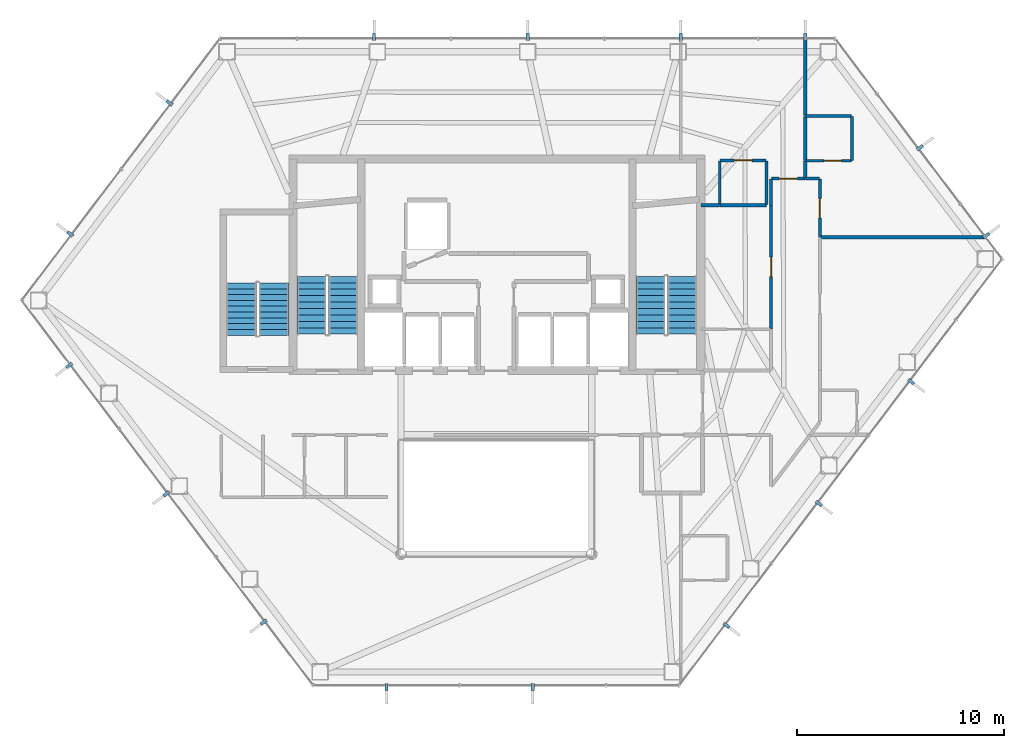
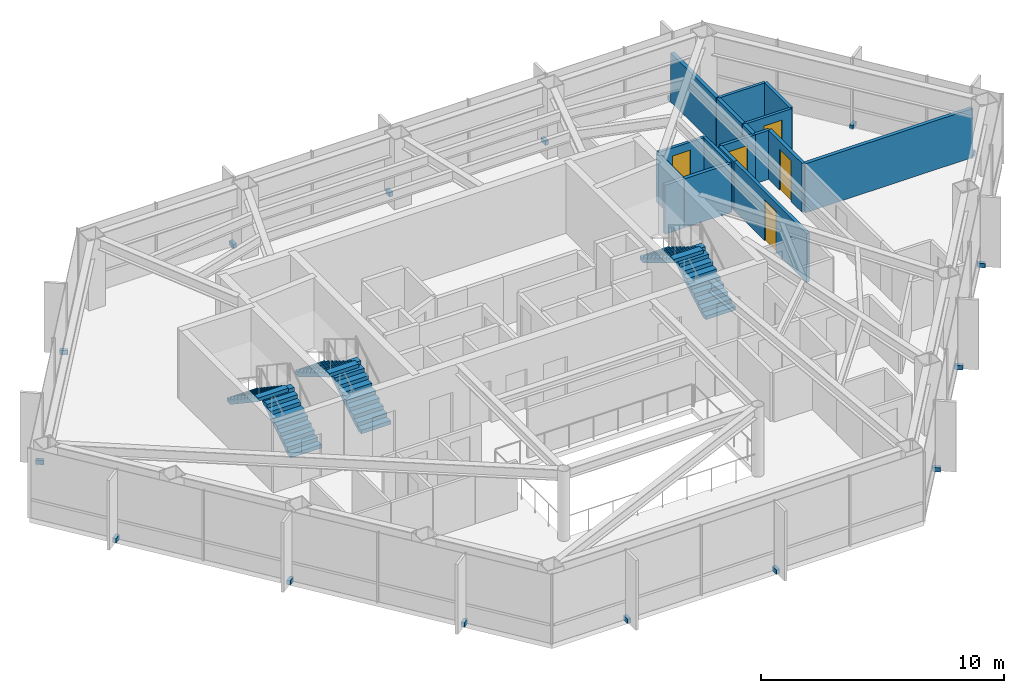
# One storey, part 27 of 28: 17 walls, 16 discrete accessories, 6 stair flights, 5 doors, 5 openings, 3 elements without a shape of their own.
"""IFC4 building model written with IfcOpenShell, lengths in metres."""

from ifc_helpers import new_model, si_unit, direction, frame, frame_2d, origin, origin_2d, place, context, subcontext, project, spatial, polyline, rectangle, outline, extrude, material, layer, layer_set, type_object, element, fill, aggregate, save


model = new_model("IFC4")

# Units and contexts
model_context = context("Model", 3, precision=1e-05, world=origin(), true_north=direction((0.0, 1.0)))
body_context = subcontext(model_context, "Body", "Model", "MODEL_VIEW")
ifc_project = project(units=[si_unit("LENGTHUNIT", "METRE"), si_unit("AREAUNIT", "SQUARE_METRE"), si_unit("VOLUMEUNIT", "CUBIC_METRE"), si_unit("PLANEANGLEUNIT", "RADIAN"), si_unit("MASSUNIT", "GRAM", prefix="KILO")], contexts=[model_context])

# Site, building, storey
site_placement = place(None, origin())
site = spatial("IfcSite", under=ifc_project, at=site_placement, CompositionType="ELEMENT")
building_placement = place(site_placement, origin())
building = spatial("IfcBuilding", under=site, at=building_placement, Name="Zarrinselat Tower", CompositionType="ELEMENT")
storey_placement = place(building_placement, frame((0.0, 0.0, 123.419921875)))
storey = spatial("IfcBuildingStorey", under=building, at=storey_placement, Name="L29", CompositionType="ELEMENT", Elevation=123.419921875)

# Walls
ifc_material_1 = material(Name="Fire-Rated Gypsum Board Partition", Category="gypsum")
ifc_layer_1 = layer(ifc_material_1, 0.1650390625)
ifc_layer_set_1 = layer_set([ifc_layer_1], Name="Fire-Rated Gypsum Board Partition")
wall_type_1 = type_object("IfcWallType", Name="WAL-PART-DEMISE", PredefinedType="PARTITIONING", material=ifc_layer_set_1)
wall_1_placement = place(storey_placement, frame((54.02001953125, 39.67822265625, 0.0), z_axis=(0.0, 0.0, 1.0), x_axis=(1.0, 0.0, 0.0)))
element("IfcWall", 1, at=wall_1_placement, inside=storey, type_object=wall_type_1, Name="L29 Partition Wall 53", PredefinedType="PARTITIONING", context=body_context, shape_type="SweptSolid", body=[
    extrude(rectangle(XDim=7.966552734375, YDim=0.1650390625, at=frame_2d((3.9833984375, 0.0))), origin(), (0.0, 0.0, 1.0), 2.45703125),
])
wall_2_placement = place(storey_placement, frame((53.300048828125, 42.52001953125, 0.0), z_axis=(0.0, 0.0, 1.0), x_axis=(0.0, 1.0, 0.0)))
element("IfcWall", 2, at=wall_2_placement, inside=storey, type_object=wall_type_1, Name="L29 Partition Wall 57", PredefinedType="PARTITIONING", context=body_context, shape_type="SweptSolid", body=[
    extrude(rectangle(XDim=0.827392578125, YDim=0.1650390625, at=frame_2d((0.41357421875, 0.0))), origin(), (0.0, 0.0, 1.0), 2.45703125),
])
wall_3_placement = place(storey_placement, frame((53.300048828125, 45.53759765625, 0.0), z_axis=(0.0, 0.0, 1.0), x_axis=(0.0, 1.0, 0.0)))
element("IfcWall", 3, at=wall_3_placement, inside=storey, type_object=wall_type_1, Name="L29 Partition Wall 58", PredefinedType="PARTITIONING", context=body_context, shape_type="SweptSolid", body=[
    extrude(rectangle(XDim=3.714111328125, YDim=0.1650390625, at=frame_2d((1.85693359375, 0.0))), origin(), (0.0, 0.0, 1.0), 2.45703125),
])
wall_4_placement = place(storey_placement, frame((53.300048828125, 43.387451171875, 0.0), z_axis=(0.0, 0.0, 1.0), x_axis=(0.0, 1.0, 0.0)))
element("IfcWall", 4, at=wall_4_placement, inside=storey, type_object=wall_type_1, Name="L29 Partition Wall 59", PredefinedType="PARTITIONING", context=body_context, shape_type="SweptSolid", body=[
    extrude(rectangle(XDim=2.110107421875, YDim=0.1650390625, at=frame_2d((1.05517578125, 0.0))), origin(), (0.0, 0.0, 1.0), 2.45703125),
])
wall_5_placement = place(storey_placement, frame((48.27490234375, 41.228271484375, 0.0), z_axis=(0.0, 0.0, 1.0), x_axis=(1.0, 0.0, 0.0)))
element("IfcWall", 5, at=wall_5_placement, inside=storey, type_object=wall_type_1, Name="L29 Partition Wall 61", PredefinedType="PARTITIONING", context=body_context, shape_type="SweptSolid", body=[
    extrude(rectangle(XDim=0.89501953125, YDim=0.1650390625, at=frame_2d((0.447509765625, 0.0))), origin(), (0.0, 0.0, 1.0), 2.45703125),
])
wall_6_placement = place(storey_placement, frame((49.179931640625, 41.228271484375, 0.0), z_axis=(0.0, 0.0, 1.0), x_axis=(1.0, 0.0, 0.0)))
element("IfcWall", 6, at=wall_6_placement, inside=storey, type_object=wall_type_1, Name="L29 Partition Wall 62", PredefinedType="PARTITIONING", context=body_context, shape_type="SweptSolid", body=[
    extrude(rectangle(XDim=2.239990234375, YDim=0.1650390625, at=frame_2d((1.1201171875, 0.0))), origin(), (0.0, 0.0, 1.0), 2.45703125),
])
ifc_material_2 = material(Name="Fire-Rated Gypsum Board Partition", Category="gypsum")
ifc_layer_2 = layer(ifc_material_2, 0.14990234375)
ifc_layer_set_2 = layer_set([ifc_layer_2], Name="Fire-Rated Gypsum Board Partition")
wall_type_2 = type_object("IfcWallType", Name="WAL-PART-EI60", PredefinedType="PARTITIONING", material=ifc_layer_set_2)
wall_7_placement = place(storey_placement, frame((53.304931640625, 42.5, 0.0), z_axis=(0.0, 0.0, 1.0), x_axis=(1.0, 0.0, 0.0)))
element("IfcWall", 7, at=wall_7_placement, inside=storey, type_object=wall_type_2, Name="L29 Partition Wall 27", PredefinedType="PARTITIONING", context=body_context, shape_type="SweptSolid", body=[
    extrude(rectangle(XDim=0.675048828125, YDim=0.14990234375, at=frame_2d((0.33740234375, 0.0))), origin(), (0.0, 0.0, 1.0), 2.45703125),
])

# Wall, opening, door
wall_8_placement = place(storey_placement, frame((54.0, 39.683349609375, 0.0), z_axis=(0.0, 0.0, 1.0), x_axis=(0.0, 1.0, 0.0)))
wall_8 = element("IfcWall", 8, at=wall_8_placement, inside=storey, type_object=wall_type_2, Name="L29 Partition Wall 28", PredefinedType="PARTITIONING", context=body_context, shape_type="SweptSolid", body=[
    extrude(rectangle(XDim=2.796630859375, YDim=0.14990234375, at=frame_2d((1.3984375, 0.0))), origin(), (0.0, 0.0, 1.0), 2.45703125),
])
opening_1_placement = place(wall_8_placement, frame((0.92822265625, 0.0, 0.0)))
opening_1 = element("IfcOpeningElement", 9, at=opening_1_placement, cuts=wall_8, Name="Opening ID-04", PredefinedType="OPENING", context=body_context, shape_type="SweptSolid", body=[
    extrude(rectangle(XDim=0.93994140625, YDim=2.050048828125, at=frame_2d((0.469970703125, 1.02490234375))), frame((0.0, 0.0849609375, 0.0), z_axis=(0.0, -1.0, 0.0), x_axis=(1.0, 0.0, 0.0)), (0.0, 0.0, 1.0), 0.169921875),
])
ifc_material_3 = material(Name="Fire-Rated Gypsum Board Partition")
door_type_1 = type_object("IfcDoorType", Name="DR-INT-FD30-ENT", OperationType="NOTDEFINED", PredefinedType="DOOR", material=ifc_material_3)
door_1_placement = place(opening_1_placement, origin())
door_1 = element("IfcDoor", 10, at=door_1_placement, inside=storey, type_object=door_type_1, Name="L29 Interior Door P28", OperationType="SINGLE_SWING_LEFT", OverallHeight=2.050048828125, OverallWidth=0.93994140625, PredefinedType="DOOR", context=body_context, shape_type="SweptSolid", body=[
    extrude(rectangle(XDim=0.93994140625, YDim=2.050048828125, at=frame_2d((0.469970703125, 1.02490234375))), frame((0.0, 0.02490234375, 0.0), z_axis=(0.0, -1.0, 0.0), x_axis=(1.0, 0.0, 0.0)), (0.0, 0.0, 1.0), 0.050048828125),
])
fill(opening_1, door_1)

wall_9_placement = place(storey_placement, frame((51.64990234375, 35.24951171875, 0.0), z_axis=(0.0, 0.0, 1.0), x_axis=(0.0, 1.0, 0.0)))
wall_9 = element("IfcWall", 11, at=wall_9_placement, inside=storey, type_object=wall_type_2, Name="L29 Partition Wall 29", PredefinedType="PARTITIONING", context=body_context, shape_type="SweptSolid", body=[
    extrude(rectangle(XDim=5.993896484375, YDim=0.14990234375, at=frame_2d((2.9970703125, 0.0))), origin(), (0.0, 0.0, 1.0), 2.45703125),
])
opening_2_placement = place(wall_9_placement, frame((2.52685546875, 0.0, 0.0)))
opening_2 = element("IfcOpeningElement", 12, at=opening_2_placement, cuts=wall_9, Name="Opening ID-04", PredefinedType="OPENING", context=body_context, shape_type="SweptSolid", body=[
    extrude(rectangle(XDim=0.93994140625, YDim=2.050048828125, at=frame_2d((0.469970703125, 1.02490234375))), frame((0.0, 0.0849609375, 0.0), z_axis=(0.0, -1.0, 0.0), x_axis=(1.0, 0.0, 0.0)), (0.0, 0.0, 1.0), 0.169921875),
])
door_2_placement = place(opening_2_placement, origin())
door_2 = element("IfcDoor", 13, at=door_2_placement, inside=storey, type_object=door_type_1, Name="L29 Interior Door P29", OperationType="SINGLE_SWING_RIGHT", OverallHeight=2.050048828125, OverallWidth=0.93994140625, PredefinedType="DOOR", context=body_context, shape_type="SweptSolid", body=[
    extrude(rectangle(XDim=0.93994140625, YDim=2.050048828125, at=frame_2d((0.469970703125, 1.02490234375))), frame((0.0, 0.02490234375, 0.0), z_axis=(0.0, -1.0, 0.0), x_axis=(1.0, 0.0, 0.0)), (0.0, 0.0, 1.0), 0.050048828125),
])
fill(opening_2, door_2)

# Wall
wall_10_placement = place(storey_placement, frame((51.64990234375, 41.21337890625, 0.0), z_axis=(0.0, 0.0, 1.0), x_axis=(0.0, 1.0, 0.0)))
element("IfcWall", 14, at=wall_10_placement, inside=storey, type_object=wall_type_2, Name="L29 Partition Wall 32", PredefinedType="PARTITIONING", context=body_context, shape_type="SweptSolid", body=[
    extrude(rectangle(XDim=1.2666015625, YDim=0.14990234375, at=frame_2d((0.63330078125, 0.0))), origin(), (0.0, 0.0, 1.0), 2.45703125),
])

# Wall, opening, door
wall_11_placement = place(storey_placement, frame((51.669921875, 42.5, 0.0), z_axis=(0.0, 0.0, 1.0), x_axis=(1.0, 0.0, 0.0)))
wall_11 = element("IfcWall", 15, at=wall_11_placement, inside=storey, type_object=wall_type_2, Name="L29 Partition Wall 33", PredefinedType="PARTITIONING", context=body_context, shape_type="SweptSolid", body=[
    extrude(rectangle(XDim=1.625, YDim=0.14990234375, at=frame_2d((0.8125, 0.0))), origin(), (0.0, 0.0, 1.0), 2.45703125),
])
opening_3_placement = place(wall_11_placement, frame((0.37255859375, 0.0, 0.0)))
opening_3 = element("IfcOpeningElement", 16, at=opening_3_placement, cuts=wall_11, Name="Opening ID-03", PredefinedType="OPENING", context=body_context, shape_type="SweptSolid", body=[
    extrude(rectangle(XDim=0.8798828125, YDim=2.050048828125, at=frame_2d((0.43994140625, 1.02490234375))), frame((0.0, 0.0849609375, 0.0), z_axis=(0.0, -1.0, 0.0), x_axis=(1.0, 0.0, 0.0)), (0.0, 0.0, 1.0), 0.169921875),
])
ifc_material_4 = material(Name="Steel S355J2", Category="steel")
door_type_2 = type_object("IfcDoorType", Name="DR-INT-FD60-S", OperationType="NOTDEFINED", PredefinedType="DOOR", material=ifc_material_4)
door_3_placement = place(opening_3_placement, origin())
door_3 = element("IfcDoor", 17, at=door_3_placement, inside=storey, type_object=door_type_2, Name="L29 Interior Door P33", OperationType="SINGLE_SWING_LEFT", OverallHeight=2.050048828125, OverallWidth=0.8798828125, PredefinedType="DOOR", context=body_context, shape_type="SweptSolid", body=[
    extrude(rectangle(XDim=0.8798828125, YDim=2.050048828125, at=frame_2d((0.43994140625, 1.02490234375))), frame((0.0, 0.02490234375, 0.0), z_axis=(0.0, -1.0, 0.0), x_axis=(1.0, 0.0, 0.0)), (0.0, 0.0, 1.0), 0.050048828125),
])
fill(opening_3, door_3)

ifc_material_5 = material(Name="Fire-Rated Gypsum Board Partition", Category="gypsum")
ifc_layer_3 = layer(ifc_material_5, 0.135009765625)
ifc_layer_set_3 = layer_set([ifc_layer_3], Name="Fire-Rated Gypsum Board Partition")
wall_type_3 = type_object("IfcWallType", Name="WAL-PART-WET", PredefinedType="PARTITIONING", material=ifc_layer_set_3)
wall_12_placement = place(storey_placement, frame((53.320068359375, 43.367431640625, 0.0), z_axis=(0.0, 0.0, 1.0), x_axis=(1.0, 0.0, 0.0)))
wall_12 = element("IfcWall", 18, at=wall_12_placement, inside=storey, type_object=wall_type_3, Name="L29 Partition Wall 54", PredefinedType="PARTITIONING", context=body_context, shape_type="SweptSolid", body=[
    extrude(rectangle(XDim=2.2099609375, YDim=0.135009765625, at=frame_2d((1.10498046875, 0.0))), origin(), (0.0, 0.0, 1.0), 2.45703125),
])
opening_4_placement = place(wall_12_placement, frame((0.875, 0.0, 0.0)))
opening_4 = element("IfcOpeningElement", 19, at=opening_4_placement, cuts=wall_12, Name="Opening ID-06", PredefinedType="OPENING", context=body_context, shape_type="SweptSolid", body=[
    extrude(rectangle(XDim=0.860107421875, YDim=2.050048828125, at=frame_2d((0.43017578125, 1.02490234375))), frame((0.0, 0.077392578125, 0.0), z_axis=(0.0, -1.0, 0.0), x_axis=(1.0, 0.0, 0.0)), (0.0, 0.0, 1.0), 0.155029296875),
])
ifc_material_6 = material(Name="Extruded Aluminium Alloy EN AW-6063 T6", Category="aluminium")
door_type_3 = type_object("IfcDoorType", Name="DR-INT-WET-900", OperationType="NOTDEFINED", PredefinedType="DOOR", material=ifc_material_6)
door_4_placement = place(opening_4_placement, origin())
door_4 = element("IfcDoor", 20, at=door_4_placement, inside=storey, type_object=door_type_3, Name="L29 Interior Door P54", OperationType="SINGLE_SWING_RIGHT", OverallHeight=2.050048828125, OverallWidth=0.860107421875, PredefinedType="DOOR", context=body_context, shape_type="SweptSolid", body=[
    extrude(rectangle(XDim=0.860107421875, YDim=2.050048828125, at=frame_2d((0.43017578125, 1.02490234375))), frame((0.0, 0.02490234375, 0.0), z_axis=(0.0, -1.0, 0.0), x_axis=(1.0, 0.0, 0.0)), (0.0, 0.0, 1.0), 0.050048828125),
])
fill(opening_4, door_4)

# Walls
wall_13_placement = place(storey_placement, frame((55.550048828125, 43.387451171875, 0.0), z_axis=(0.0, 0.0, 1.0), x_axis=(0.0, 1.0, 0.0)))
element("IfcWall", 21, at=wall_13_placement, inside=storey, type_object=wall_type_3, Name="L29 Partition Wall 55", PredefinedType="PARTITIONING", context=body_context, shape_type="SweptSolid", body=[
    extrude(rectangle(XDim=2.110107421875, YDim=0.135009765625, at=frame_2d((1.05517578125, 0.0))), origin(), (0.0, 0.0, 1.0), 2.45703125),
])
wall_14_placement = place(storey_placement, frame((53.320068359375, 45.517578125, 0.0), z_axis=(0.0, 0.0, 1.0), x_axis=(1.0, 0.0, 0.0)))
element("IfcWall", 22, at=wall_14_placement, inside=storey, type_object=wall_type_3, Name="L29 Partition Wall 56", PredefinedType="PARTITIONING", context=body_context, shape_type="SweptSolid", body=[
    extrude(rectangle(XDim=2.2099609375, YDim=0.135009765625, at=frame_2d((1.10498046875, 0.0))), origin(), (0.0, 0.0, 1.0), 2.45703125),
])
wall_15_placement = place(storey_placement, frame((51.425048828125, 41.248291015625, 0.0), z_axis=(0.0, 0.0, 1.0), x_axis=(0.0, 1.0, 0.0)))
element("IfcWall", 23, at=wall_15_placement, inside=storey, type_object=wall_type_3, Name="L29 Partition Wall 63", PredefinedType="PARTITIONING", context=body_context, shape_type="SweptSolid", body=[
    extrude(rectangle(XDim=2.110107421875, YDim=0.135009765625, at=frame_2d((1.05517578125, 0.0))), origin(), (0.0, 0.0, 1.0), 2.45703125),
])

# Wall, opening, door
wall_16_placement = place(storey_placement, frame((49.195068359375, 43.37841796875, 0.0), z_axis=(0.0, 0.0, 1.0), x_axis=(1.0, 0.0, 0.0)))
wall_16 = element("IfcWall", 24, at=wall_16_placement, inside=storey, type_object=wall_type_3, Name="L29 Partition Wall 64", PredefinedType="PARTITIONING", context=body_context, shape_type="SweptSolid", body=[
    extrude(rectangle(XDim=2.2099609375, YDim=0.135009765625, at=frame_2d((1.10498046875, 0.0))), origin(), (0.0, 0.0, 1.0), 2.45703125),
])
opening_5_placement = place(wall_16_placement, frame((0.675048828125, 0.0, 0.0)))
opening_5 = element("IfcOpeningElement", 25, at=opening_5_placement, cuts=wall_16, Name="Opening ID-06", PredefinedType="OPENING", context=body_context, shape_type="SweptSolid", body=[
    extrude(rectangle(XDim=0.860107421875, YDim=2.050048828125, at=frame_2d((0.43017578125, 1.02490234375))), frame((0.0, 0.077392578125, 0.0), z_axis=(0.0, -1.0, 0.0), x_axis=(1.0, 0.0, 0.0)), (0.0, 0.0, 1.0), 0.155029296875),
])
door_5_placement = place(opening_5_placement, origin())
door_5 = element("IfcDoor", 26, at=door_5_placement, inside=storey, type_object=door_type_3, Name="L29 Interior Door P64", OperationType="SINGLE_SWING_RIGHT", OverallHeight=2.050048828125, OverallWidth=0.860107421875, PredefinedType="DOOR", context=body_context, shape_type="SweptSolid", body=[
    extrude(rectangle(XDim=0.860107421875, YDim=2.050048828125, at=frame_2d((0.43017578125, 1.02490234375))), frame((0.0, 0.02490234375, 0.0), z_axis=(0.0, -1.0, 0.0), x_axis=(1.0, 0.0, 0.0)), (0.0, 0.0, 1.0), 0.050048828125),
])
fill(opening_5, door_5)

# Wall
wall_17_placement = place(storey_placement, frame((49.175048828125, 41.248291015625, 0.0), z_axis=(0.0, 0.0, 1.0), x_axis=(0.0, 1.0, 0.0)))
element("IfcWall", 27, at=wall_17_placement, inside=storey, type_object=wall_type_3, Name="L29 Partition Wall 65", PredefinedType="PARTITIONING", context=body_context, shape_type="SweptSolid", body=[
    extrude(rectangle(XDim=2.110107421875, YDim=0.135009765625, at=frame_2d((1.05517578125, 0.0))), origin(), (0.0, 0.0, 1.0), 2.45703125),
])

# Stair, stair flights
ifc_material_7 = material(Name="Concrete C40/50", Category="concrete")
stair_type_1 = type_object("IfcStairType", Name="STR-CORE-145", PredefinedType="HALF_TURN_STAIR", material=ifc_material_7)
stair_1_placement = place(storey_placement, origin())
stair_1 = element("IfcStair", 28, at=stair_1_placement, inside=storey, type_object=stair_type_1, Name="L29 Podium & Mid-Tower Exit Stair 3", PredefinedType="HALF_TURN_STAIR")
ifc_material_8 = material(Name="Concrete C40/50", Category="concrete")
stair_flight_type_1 = type_object("IfcStairFlightType", Name="STR-FLT-145", PredefinedType="STRAIGHT", material=ifc_material_8)
stair_flight_1_placement = place(storey_placement, frame((27.675048828125, 34.949951171875, 0.0), z_axis=(0.0, 0.0, 1.0), x_axis=(0.0, 1.0, 0.0)))
stair_flight_1 = element("IfcStairFlight", 29, at=stair_flight_1_placement, type_object=stair_flight_type_1, Name="ST-3 flight 1", NumberOfRisers=10, NumberOfTreads=9, PredefinedType="STRAIGHT", RiserHeight=0.187, TreadLength=0.28, context=body_context, shape_type="SweptSolid", body=[
    extrude(outline(polyline([(0.0, 0.0), (0.0, 0.18701171875), (0.280029296875, 0.18701171875), (0.280029296875, 0.3740234375), (0.56005859375, 0.3740234375), (0.56005859375, 0.56103515625), (0.840087890625, 0.56103515625), (0.840087890625, 0.748046875), (1.1201171875, 0.748046875), (1.1201171875, 0.93505859375), (1.39990234375, 0.93505859375), (1.39990234375, 1.1220703125), (1.679931640625, 1.1220703125), (1.679931640625, 1.30908203125), (1.9599609375, 1.30908203125), (1.9599609375, 1.49609375), (2.239990234375, 1.49609375), (2.239990234375, 1.68310546875), (2.52001953125, 1.68310546875), (2.52001953125, 1.8701171875), (2.52001953125, 1.502685546875), (0.27001953125, 0.0), (0.0, 0.0)])), frame((0.0, 0.72509765625, 0.0), z_axis=(0.0, -1.0, 0.0), x_axis=(1.0, 0.0, 0.0)), (0.0, 0.0, 1.0), 1.449951171875),
])
stair_flight_2_placement = place(storey_placement, frame((26.10498046875, 37.469970703125, 1.8701171875), z_axis=(0.0, 0.0, 1.0), x_axis=(0.0, -1.0, 0.0)))
stair_flight_2 = element("IfcStairFlight", 30, at=stair_flight_2_placement, type_object=stair_flight_type_1, Name="ST-3 flight 2", NumberOfRisers=10, NumberOfTreads=9, PredefinedType="STRAIGHT", RiserHeight=0.187, TreadLength=0.28, context=body_context, shape_type="SweptSolid", body=[
    extrude(outline(polyline([(0.0, 0.0), (0.0, 0.18701171875), (0.280029296875, 0.18701171875), (0.280029296875, 0.3740234375), (0.56005859375, 0.3740234375), (0.56005859375, 0.56103515625), (0.840087890625, 0.56103515625), (0.840087890625, 0.748046875), (1.1201171875, 0.748046875), (1.1201171875, 0.93505859375), (1.39990234375, 0.93505859375), (1.39990234375, 1.1220703125), (1.679931640625, 1.1220703125), (1.679931640625, 1.30908203125), (1.9599609375, 1.30908203125), (1.9599609375, 1.49609375), (2.239990234375, 1.49609375), (2.239990234375, 1.68310546875), (2.52001953125, 1.68310546875), (2.52001953125, 1.8701171875), (2.52001953125, 1.502685546875), (0.27001953125, 0.0), (0.0, 0.0)])), frame((0.0, 0.72509765625, 0.0), z_axis=(0.0, -1.0, 0.0), x_axis=(1.0, 0.0, 0.0)), (0.0, 0.0, 1.0), 1.449951171875),
])
aggregate(stair_1, [stair_flight_1, stair_flight_2])

ifc_material_9 = material(Name="Concrete C40/50", Category="concrete")
stair_type_2 = type_object("IfcStairType", Name="STR-CORE-155", PredefinedType="HALF_TURN_STAIR", material=ifc_material_9)
stair_2_placement = place(storey_placement, origin())
stair_2 = element("IfcStair", 31, at=stair_2_placement, inside=storey, type_object=stair_type_2, Name="L29 Core Exit Stair 1", PredefinedType="HALF_TURN_STAIR")
ifc_material_10 = material(Name="Concrete C40/50", Category="concrete")
stair_flight_type_2 = type_object("IfcStairFlightType", Name="STR-FLT-155", PredefinedType="STRAIGHT", material=ifc_material_10)
stair_flight_3_placement = place(storey_placement, frame((31.02001953125, 35.0, 0.0), z_axis=(0.0, 0.0, 1.0), x_axis=(0.0, 1.0, 0.0)))
stair_flight_3 = element("IfcStairFlight", 32, at=stair_flight_3_placement, type_object=stair_flight_type_2, Name="ST-1 flight 1", NumberOfRisers=10, NumberOfTreads=9, PredefinedType="STRAIGHT", RiserHeight=0.187, TreadLength=0.31, context=body_context, shape_type="SweptSolid", body=[
    extrude(outline(polyline([(0.0, 0.0), (0.0, 0.18701171875), (0.31005859375, 0.18701171875), (0.31005859375, 0.3740234375), (0.6201171875, 0.3740234375), (0.6201171875, 0.56103515625), (0.929931640625, 0.56103515625), (0.929931640625, 0.748046875), (1.239990234375, 0.748046875), (1.239990234375, 0.93505859375), (1.550048828125, 0.93505859375), (1.550048828125, 1.1220703125), (1.860107421875, 1.1220703125), (1.860107421875, 1.30908203125), (2.169921875, 1.30908203125), (2.169921875, 1.49609375), (2.47998046875, 1.49609375), (2.47998046875, 1.68310546875), (2.7900390625, 1.68310546875), (2.7900390625, 1.8701171875), (2.7900390625, 1.508056640625), (0.290283203125, 0.0), (0.0, 0.0)])), frame((0.0, 0.699951171875, 0.0), z_axis=(0.0, -1.0, 0.0), x_axis=(1.0, 0.0, 0.0)), (0.0, 0.0, 1.0), 1.39990234375),
])
stair_flight_4_placement = place(storey_placement, frame((29.5, 37.7900390625, 1.8701171875), z_axis=(0.0, 0.0, 1.0), x_axis=(0.0, -1.0, 0.0)))
stair_flight_4 = element("IfcStairFlight", 33, at=stair_flight_4_placement, type_object=stair_flight_type_2, Name="ST-1 flight 2", NumberOfRisers=10, NumberOfTreads=9, PredefinedType="STRAIGHT", RiserHeight=0.187, TreadLength=0.31, context=body_context, shape_type="SweptSolid", body=[
    extrude(outline(polyline([(0.0, 0.0), (0.0, 0.18701171875), (0.31005859375, 0.18701171875), (0.31005859375, 0.3740234375), (0.6201171875, 0.3740234375), (0.6201171875, 0.56103515625), (0.929931640625, 0.56103515625), (0.929931640625, 0.748046875), (1.239990234375, 0.748046875), (1.239990234375, 0.93505859375), (1.550048828125, 0.93505859375), (1.550048828125, 1.1220703125), (1.860107421875, 1.1220703125), (1.860107421875, 1.30908203125), (2.169921875, 1.30908203125), (2.169921875, 1.49609375), (2.47998046875, 1.49609375), (2.47998046875, 1.68310546875), (2.7900390625, 1.68310546875), (2.7900390625, 1.8701171875), (2.7900390625, 1.508056640625), (0.290283203125, 0.0), (0.0, 0.0)])), frame((0.0, 0.699951171875, 0.0), z_axis=(0.0, -1.0, 0.0), x_axis=(1.0, 0.0, 0.0)), (0.0, 0.0, 1.0), 1.39990234375),
])
aggregate(stair_2, [stair_flight_3, stair_flight_4])

stair_3_placement = place(storey_placement, origin())
stair_3 = element("IfcStair", 34, at=stair_3_placement, inside=storey, type_object=stair_type_2, Name="L29 Core Exit Stair 2", PredefinedType="HALF_TURN_STAIR")
stair_flight_5_placement = place(storey_placement, frame((47.360107421875, 35.0, 0.0), z_axis=(0.0, 0.0, 1.0), x_axis=(0.0, 1.0, 0.0)))
stair_flight_5 = element("IfcStairFlight", 35, at=stair_flight_5_placement, type_object=stair_flight_type_2, Name="ST-2 flight 1", NumberOfRisers=10, NumberOfTreads=9, PredefinedType="STRAIGHT", RiserHeight=0.187, TreadLength=0.31, context=body_context, shape_type="SweptSolid", body=[
    extrude(outline(polyline([(0.0, 0.0), (0.0, 0.18701171875), (0.31005859375, 0.18701171875), (0.31005859375, 0.3740234375), (0.6201171875, 0.3740234375), (0.6201171875, 0.56103515625), (0.929931640625, 0.56103515625), (0.929931640625, 0.748046875), (1.239990234375, 0.748046875), (1.239990234375, 0.93505859375), (1.550048828125, 0.93505859375), (1.550048828125, 1.1220703125), (1.860107421875, 1.1220703125), (1.860107421875, 1.30908203125), (2.169921875, 1.30908203125), (2.169921875, 1.49609375), (2.47998046875, 1.49609375), (2.47998046875, 1.68310546875), (2.7900390625, 1.68310546875), (2.7900390625, 1.8701171875), (2.7900390625, 1.508056640625), (0.290283203125, 0.0), (0.0, 0.0)])), frame((0.0, 0.699951171875, 0.0), z_axis=(0.0, -1.0, 0.0), x_axis=(1.0, 0.0, 0.0)), (0.0, 0.0, 1.0), 1.39990234375),
])
stair_flight_6_placement = place(storey_placement, frame((45.840087890625, 37.7900390625, 1.8701171875), z_axis=(0.0, 0.0, 1.0), x_axis=(0.0, -1.0, 0.0)))
stair_flight_6 = element("IfcStairFlight", 36, at=stair_flight_6_placement, type_object=stair_flight_type_2, Name="ST-2 flight 2", NumberOfRisers=10, NumberOfTreads=9, PredefinedType="STRAIGHT", RiserHeight=0.187, TreadLength=0.31, context=body_context, shape_type="SweptSolid", body=[
    extrude(outline(polyline([(0.0, 0.0), (0.0, 0.18701171875), (0.31005859375, 0.18701171875), (0.31005859375, 0.3740234375), (0.6201171875, 0.3740234375), (0.6201171875, 0.56103515625), (0.929931640625, 0.56103515625), (0.929931640625, 0.748046875), (1.239990234375, 0.748046875), (1.239990234375, 0.93505859375), (1.550048828125, 0.93505859375), (1.550048828125, 1.1220703125), (1.860107421875, 1.1220703125), (1.860107421875, 1.30908203125), (2.169921875, 1.30908203125), (2.169921875, 1.49609375), (2.47998046875, 1.49609375), (2.47998046875, 1.68310546875), (2.7900390625, 1.68310546875), (2.7900390625, 1.8701171875), (2.7900390625, 1.508056640625), (0.290283203125, 0.0), (0.0, 0.0)])), frame((0.0, 0.699951171875, 0.0), z_axis=(0.0, -1.0, 0.0), x_axis=(1.0, 0.0, 0.0)), (0.0, 0.0, 1.0), 1.39990234375),
])
aggregate(stair_3, [stair_flight_5, stair_flight_6])

# Discrete accessories
ifc_material_11 = material(Name="Steel S355J2", Category="steel")
discrete_accessory_type = type_object("IfcDiscreteAccessoryType", Name="ACC-FIN-BRACKET", PredefinedType="BRACKET", material=ifc_material_11)
for number, where, z_axis, x_axis, name in (
    (37, (53.300048828125, 49.336669921875, -0.0498046875), (0.0, 0.0, 1.0), (0.0, 1.0, 0.0), "L29 Fin Fixing Bracket CW-L29-E01-01"),
    (38, (47.300048828125, 49.336669921875, -0.0498046875), (0.0, 0.0, 1.0), (0.0, 1.0, 0.0), "L29 Fin Fixing Bracket CW-L29-E01-03"),
    (39, (39.91552734375, 49.336669921875, -0.0498046875), (0.0, 0.0, 1.0), (0.0, 1.0, 0.0), "L29 Fin Fixing Bracket CW-L29-E01-05"),
    (40, (32.504638671875, 49.336669921875, -0.0498046875), (0.0, 0.0, 1.0), (0.0, 1.0, 0.0), "L29 Fin Fixing Bracket CW-L29-E01-07"),
    (41, (22.644287109375, 46.149658203125, -0.0498046875), (0.0, 0.0, 1.0), (-0.797091872172, 0.603858052292, 0.0), "L29 Fin Fixing Bracket CW-L29-E02-01"),
    (42, (17.857177734375, 39.830810546875, -0.0498046875), (0.0, 0.0, 1.0), (-0.797091872172, 0.603858052292, 0.0), "L29 Fin Fixing Bracket CW-L29-E02-03"),
    (43, (17.8076171875, 33.492919921875, -0.0498046875), (0.0, 0.0, 1.0), (-0.797091647094, -0.603858349394, 0.0), "L29 Fin Fixing Bracket CW-L29-E03-01"),
    (44, (22.4951171875, 27.305419921875, -0.0498046875), (0.0, 0.0, 1.0), (-0.797091647094, -0.603858349394, 0.0), "L29 Fin Fixing Bracket CW-L29-E03-03"),
    (45, (27.1826171875, 21.117919921875, -0.0498046875), (0.0, 0.0, 1.0), (-0.797091647094, -0.603858349394, 0.0), "L29 Fin Fixing Bracket CW-L29-E03-05"),
    (46, (33.109375, 17.996337890625, -0.0498046875), (0.0, 0.0, 1.0), (0.0, -1.0, 0.0), "L29 Fin Fixing Bracket CW-L29-E04-01"),
    (47, (40.16357421875, 17.996337890625, -0.0498046875), (0.0, 0.0, 1.0), (0.0, -1.0, 0.0), "L29 Fin Fixing Bracket CW-L29-E04-03"),
    (48, (49.499267578125, 20.961669921875, -0.0498046875), (0.0, 0.0, 1.0), (0.797091808926, -0.603858135777, 0.0), "L29 Fin Fixing Bracket CW-L29-E05-01"),
    (49, (53.9501953125, 26.8369140625, -0.0498046875), (0.0, 0.0, 1.0), (0.797091808926, -0.603858135777, 0.0), "L29 Fin Fixing Bracket CW-L29-E05-03"),
    (50, (58.40087890625, 32.7119140625, -0.0498046875), (0.0, 0.0, 1.0), (0.797091808926, -0.603858135777, 0.0), "L29 Fin Fixing Bracket CW-L29-E05-05"),
    (51, (62.02978515625, 39.7568359375, -0.0498046875), (0.0, 0.0, 1.0), (0.79709160167, 0.603858409354, 0.0), "L29 Fin Fixing Bracket CW-L29-E06-01"),
    (52, (58.82275390625, 43.990478515625, -0.0498046875), (0.0, 0.0, 1.0), (0.79709160167, 0.603858409354, 0.0), "L29 Fin Fixing Bracket CW-L29-E06-03"),
):
    element("IfcDiscreteAccessory", number, at=place(storey_placement, frame(where, z_axis=z_axis, x_axis=x_axis)), inside=storey, type_object=discrete_accessory_type, Name=name, PredefinedType="BRACKET", context=body_context, shape_type="SweptSolid", body=[
        extrude(rectangle(XDim=0.340087890625, YDim=0.159912109375, at=origin_2d()), origin(), (0.0, 0.0, 1.0), 0.219970703125),
    ])

save(model, "model.ifc")
